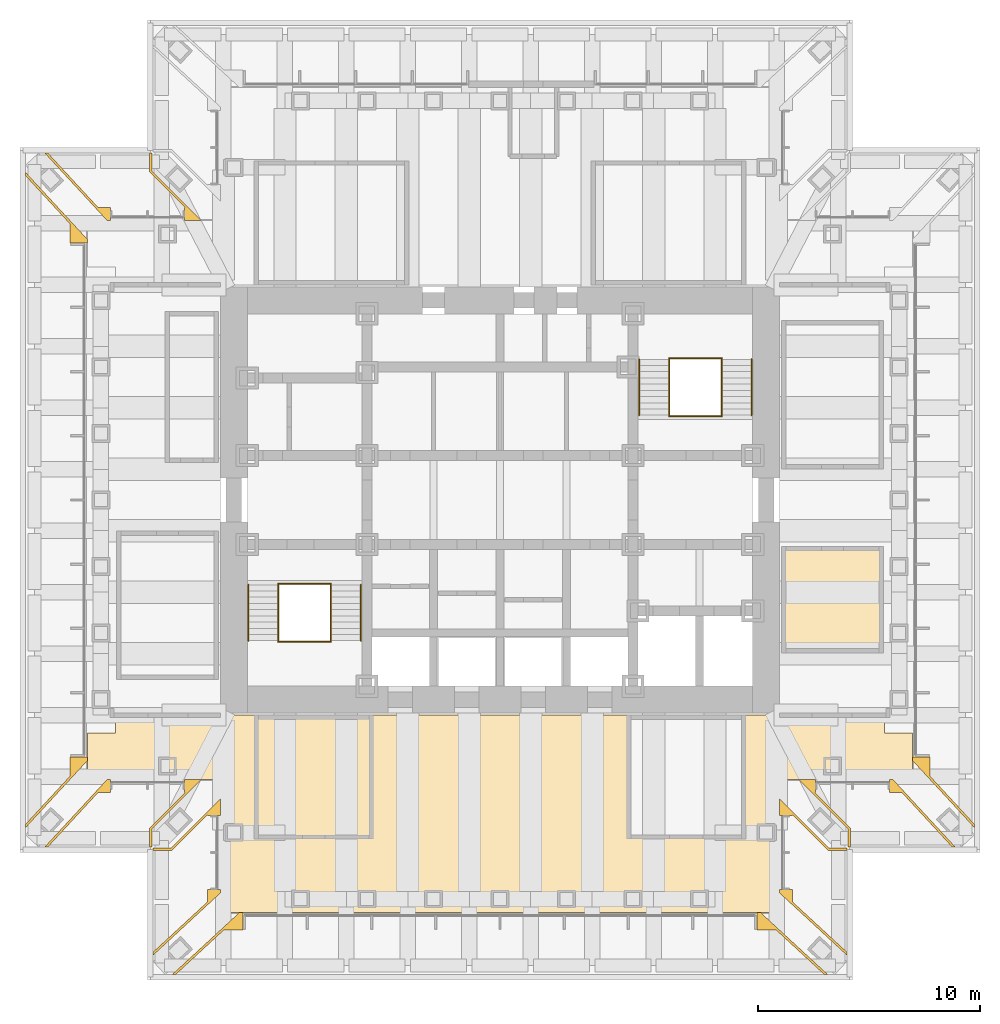
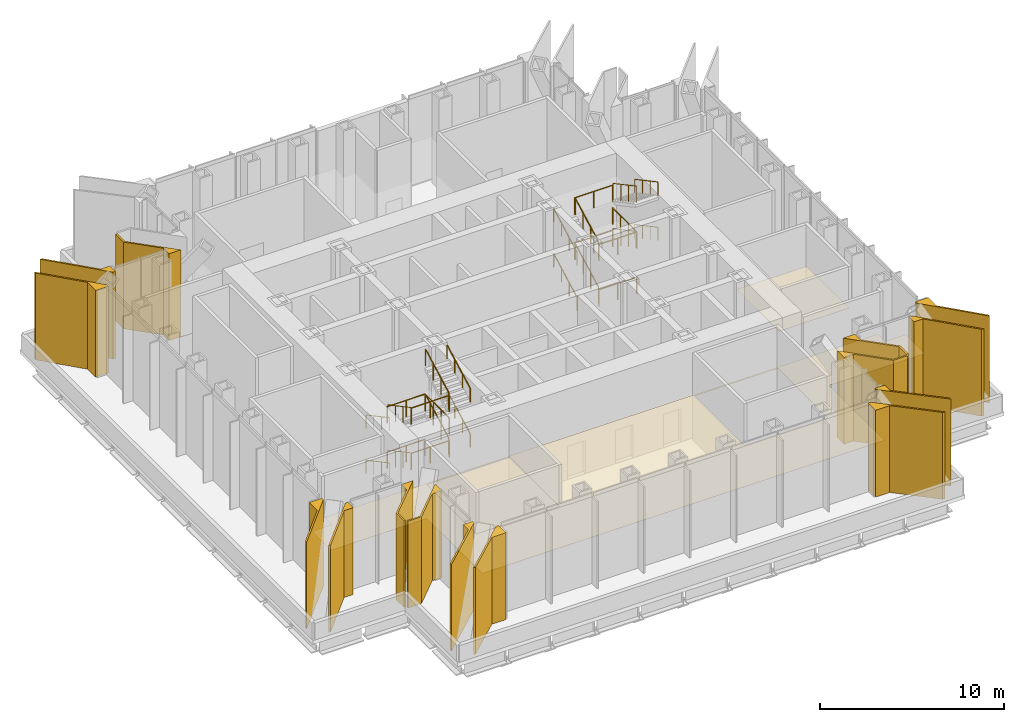
# One storey, part 12 of 13: 26 railings, 18 coverings.
"""IFC4 building model written with IfcOpenShell, lengths in metres."""

from ifc_helpers import new_model, si_unit, direction, frame, origin, origin_2d, place, context, subcontext, project, spatial, polyline, circle, outline, extrude, material, layer, layer_set, type_object, element, save


model = new_model("IFC4")

# Units and contexts
model_context = context("Model", 3, precision=1e-05, world=origin(), true_north=direction((0.0, 1.0)))
body_context = subcontext(model_context, "Body", "Model", "MODEL_VIEW")
ifc_project = project(units=[si_unit("LENGTHUNIT", "METRE"), si_unit("AREAUNIT", "SQUARE_METRE"), si_unit("VOLUMEUNIT", "CUBIC_METRE"), si_unit("PLANEANGLEUNIT", "RADIAN"), si_unit("MASSUNIT", "GRAM", prefix="KILO")], contexts=[model_context])

# Site, building, storey
site_placement = place(None, origin())
site = spatial("IfcSite", under=ifc_project, at=site_placement, CompositionType="ELEMENT")
building_placement = place(site_placement, origin())
building = spatial("IfcBuilding", under=site, at=building_placement, Name="Daluyong Arena Tower", CompositionType="ELEMENT")
storey_placement = place(building_placement, frame((0.0, 0.0, 279.699951171875)))
storey = spatial("IfcBuildingStorey", under=building, at=storey_placement, Name="L63", CompositionType="ELEMENT", Elevation=279.699951171875)

# Coverings
ifc_material_1 = material(Name="Mineral fibre ceiling tile", Category="gypsum board")
ifc_layer_1 = layer(ifc_material_1, 0.02001953125)
ifc_layer_set_1 = layer_set([ifc_layer_1], Name="Mineral fibre ceiling tile")
covering_type_1 = type_object("IfcCoveringType", Name="Office ceiling", PredefinedType="CEILING", material=ifc_layer_set_1)
covering_1_placement = place(storey_placement, frame((0.0, 0.0, 2.900146484375)))
element("IfcCovering", 1, at=covering_1_placement, inside=storey, type_object=covering_type_1, Name="ceiling L63-04", PredefinedType="CEILING", context=body_context, shape_type="SweptSolid", body=[
    extrude(outline(polyline([(73.199951171875, 73.199951171875), (73.199951171875, 77.800048828125), (68.800048828125, 77.800048828125), (68.800048828125, 73.199951171875), (73.199951171875, 73.199951171875)])), origin(), (0.0, 0.0, 1.0), 0.02001953125),
])
covering_2_placement = place(storey_placement, frame((0.0, 0.0, 2.900146484375)))
element("IfcCovering", 2, at=covering_2_placement, inside=storey, type_object=covering_type_1, Name="ceiling L63-08", PredefinedType="CEILING", context=body_context, shape_type="SweptSolid", body=[
    extrude(outline(polyline([(50.199951171875, 64.800048828125), (50.199951171875, 70.199951171875), (45.0, 70.199951171875), (45.0, 64.800048828125), (50.199951171875, 64.800048828125)])), origin(), (0.0, 0.0, 1.0), 0.02001953125),
])
covering_3_placement = place(storey_placement, frame((0.0, 0.0, 2.900146484375)))
element("IfcCovering", 3, at=covering_3_placement, inside=storey, type_object=covering_type_1, Name="ceiling L63-09", PredefinedType="CEILING", context=body_context, shape_type="SweptSolid", body=[
    extrude(outline(polyline([(68.60009765625, 61.39990234375), (68.60009765625, 67.39990234375), (74.60009765625, 67.39990234375), (74.60009765625, 69.5), (73.35009765625, 69.5), (73.35009765625, 70.300048828125), (38.64990234375, 70.300048828125), (38.64990234375, 69.5), (37.39990234375, 69.5), (37.39990234375, 67.39990234375), (43.39990234375, 67.39990234375), (43.39990234375, 61.39990234375), (68.60009765625, 61.39990234375)]), holes=[polyline([(50.199951171875, 70.199951171875), (50.199951171875, 64.800048828125), (45.0, 64.800048828125), (45.0, 70.199951171875), (50.199951171875, 70.199951171875)]), polyline([(67.0, 64.800048828125), (61.800048828125, 64.800048828125), (61.800048828125, 70.199951171875), (67.0, 70.199951171875), (67.0, 64.800048828125)])]), origin(), (0.0, 0.0, 1.0), 0.02001953125),
])

# Railings
ifc_material_2 = material(Name="Stainless steel handrail", Category="steel")
railing_type_1 = type_object("IfcRailingType", Name="Stair handrail", PredefinedType="HANDRAIL", material=ifc_material_2)
railing_1_placement = place(storey_placement, frame((44.64990234375, 76.175048828125, 0.150146484375)))
element("IfcRailing", 4, at=railing_1_placement, inside=storey, type_object=railing_type_1, Name="exit stair A handrail L63", PredefinedType="HANDRAIL", context=body_context, shape_type="SweptSolid", body=[
    extrude(circle(Radius=0.02392578125, at=origin_2d()), frame((0.0, 0.0, 0.8759765625), z_axis=(0.0, -0.88150282143, 0.472178754087), x_axis=(1.0, 0.0, 0.0)), (0.0, 0.0, 1.0), 2.85888671875),
    extrude(circle(Radius=0.02099609375, at=origin_2d()), origin(), (0.0, 0.0, 1.0), 0.851806640625),
    extrude(circle(Radius=0.02099609375, at=origin_2d()), frame((0.0, -0.840087890625, 0.449951171875)), (0.0, 0.0, 1.0), 0.851806640625),
    extrude(circle(Radius=0.02099609375, at=origin_2d()), frame((0.0, -1.679931640625, 0.89990234375)), (0.0, 0.0, 1.0), 0.851806640625),
    extrude(circle(Radius=0.02099609375, at=origin_2d()), frame((0.0, -2.52001953125, 1.349853515625)), (0.0, 0.0, 1.0), 0.851806640625),
])
railing_2_placement = place(storey_placement, frame((49.72509765625, 73.655029296875, 1.650146484375)))
element("IfcRailing", 5, at=railing_2_placement, inside=storey, type_object=railing_type_1, Name="exit stair A handrail L63", PredefinedType="HANDRAIL", context=body_context, shape_type="SweptSolid", body=[
    extrude(circle(Radius=0.02392578125, at=origin_2d()), frame((0.0, 0.0, 0.8759765625), z_axis=(0.0, 0.88150282143, 0.472178754087), x_axis=(-1.0, 0.0, 0.0)), (0.0, 0.0, 1.0), 2.85888671875),
    extrude(circle(Radius=0.02099609375, at=origin_2d()), origin(), (0.0, 0.0, 1.0), 0.851806640625),
    extrude(circle(Radius=0.02099609375, at=origin_2d()), frame((0.0, 0.840087890625, 0.449951171875)), (0.0, 0.0, 1.0), 0.851806640625),
    extrude(circle(Radius=0.02099609375, at=origin_2d()), frame((0.0, 1.679931640625, 0.89990234375)), (0.0, 0.0, 1.0), 0.851806640625),
    extrude(circle(Radius=0.02099609375, at=origin_2d()), frame((0.0, 2.52001953125, 1.349853515625)), (0.0, 0.0, 1.0), 0.851806640625),
])
railing_3_placement = place(storey_placement, frame((44.64990234375, 76.175048828125, 3.150146484375)))
element("IfcRailing", 6, at=railing_3_placement, inside=storey, type_object=railing_type_1, Name="exit stair A handrail L63", PredefinedType="HANDRAIL", context=body_context, shape_type="SweptSolid", body=[
    extrude(circle(Radius=0.02392578125, at=origin_2d()), frame((0.0, 0.0, 0.8759765625), z_axis=(0.0, -0.88150282143, 0.472178754087), x_axis=(1.0, 0.0, 0.0)), (0.0, 0.0, 1.0), 2.85888671875),
    extrude(circle(Radius=0.02099609375, at=origin_2d()), origin(), (0.0, 0.0, 1.0), 0.851806640625),
    extrude(circle(Radius=0.02099609375, at=origin_2d()), frame((0.0, -0.840087890625, 0.449951171875)), (0.0, 0.0, 1.0), 0.851806640625),
    extrude(circle(Radius=0.02099609375, at=origin_2d()), frame((0.0, -1.679931640625, 0.89990234375)), (0.0, 0.0, 1.0), 0.851806640625),
    extrude(circle(Radius=0.02099609375, at=origin_2d()), frame((0.0, -2.52001953125, 1.349853515625)), (0.0, 0.0, 1.0), 0.851806640625),
])
for number, where, name in (
    (7, (49.72509765625, 73.655029296875, 4.650146484375), "exit stair A handrail L63"),
    (8, (62.27490234375, 83.824951171875, 0.150146484375), "exit stair B handrail L63"),
):
    element("IfcRailing", number, at=place(storey_placement, frame(where)), inside=storey, type_object=railing_type_1, Name=name, PredefinedType="HANDRAIL", context=body_context, shape_type="SweptSolid", body=[
        extrude(circle(Radius=0.02392578125, at=origin_2d()), frame((0.0, 0.0, 0.8759765625), z_axis=(0.0, 0.88150282143, 0.472178754087), x_axis=(-1.0, 0.0, 0.0)), (0.0, 0.0, 1.0), 2.85888671875),
        extrude(circle(Radius=0.02099609375, at=origin_2d()), origin(), (0.0, 0.0, 1.0), 0.851806640625),
        extrude(circle(Radius=0.02099609375, at=origin_2d()), frame((0.0, 0.840087890625, 0.449951171875)), (0.0, 0.0, 1.0), 0.851806640625),
        extrude(circle(Radius=0.02099609375, at=origin_2d()), frame((0.0, 1.679931640625, 0.89990234375)), (0.0, 0.0, 1.0), 0.851806640625),
        extrude(circle(Radius=0.02099609375, at=origin_2d()), frame((0.0, 2.52001953125, 1.349853515625)), (0.0, 0.0, 1.0), 0.851806640625),
    ])
railing_4_placement = place(storey_placement, frame((67.35009765625, 86.344970703125, 1.650146484375)))
element("IfcRailing", 9, at=railing_4_placement, inside=storey, type_object=railing_type_1, Name="exit stair B handrail L63", PredefinedType="HANDRAIL", context=body_context, shape_type="SweptSolid", body=[
    extrude(circle(Radius=0.02392578125, at=origin_2d()), frame((0.0, 0.0, 0.8759765625), z_axis=(0.0, -0.88150282143, 0.472178754087), x_axis=(1.0, 0.0, 0.0)), (0.0, 0.0, 1.0), 2.85888671875),
    extrude(circle(Radius=0.02099609375, at=origin_2d()), origin(), (0.0, 0.0, 1.0), 0.851806640625),
    extrude(circle(Radius=0.02099609375, at=origin_2d()), frame((0.0, -0.840087890625, 0.449951171875)), (0.0, 0.0, 1.0), 0.851806640625),
    extrude(circle(Radius=0.02099609375, at=origin_2d()), frame((0.0, -1.679931640625, 0.89990234375)), (0.0, 0.0, 1.0), 0.851806640625),
    extrude(circle(Radius=0.02099609375, at=origin_2d()), frame((0.0, -2.52001953125, 1.349853515625)), (0.0, 0.0, 1.0), 0.851806640625),
])
railing_5_placement = place(storey_placement, frame((62.27490234375, 83.824951171875, 3.150146484375)))
element("IfcRailing", 10, at=railing_5_placement, inside=storey, type_object=railing_type_1, Name="exit stair B handrail L63", PredefinedType="HANDRAIL", context=body_context, shape_type="SweptSolid", body=[
    extrude(circle(Radius=0.02392578125, at=origin_2d()), frame((0.0, 0.0, 0.8759765625), z_axis=(0.0, 0.88150282143, 0.472178754087), x_axis=(-1.0, 0.0, 0.0)), (0.0, 0.0, 1.0), 2.85888671875),
    extrude(circle(Radius=0.02099609375, at=origin_2d()), origin(), (0.0, 0.0, 1.0), 0.851806640625),
    extrude(circle(Radius=0.02099609375, at=origin_2d()), frame((0.0, 0.840087890625, 0.449951171875)), (0.0, 0.0, 1.0), 0.851806640625),
    extrude(circle(Radius=0.02099609375, at=origin_2d()), frame((0.0, 1.679931640625, 0.89990234375)), (0.0, 0.0, 1.0), 0.851806640625),
    extrude(circle(Radius=0.02099609375, at=origin_2d()), frame((0.0, 2.52001953125, 1.349853515625)), (0.0, 0.0, 1.0), 0.851806640625),
])
railing_6_placement = place(storey_placement, frame((67.35009765625, 86.344970703125, 4.650146484375)))
element("IfcRailing", 11, at=railing_6_placement, inside=storey, type_object=railing_type_1, Name="exit stair B handrail L63", PredefinedType="HANDRAIL", context=body_context, shape_type="SweptSolid", body=[
    extrude(circle(Radius=0.02392578125, at=origin_2d()), frame((0.0, 0.0, 0.8759765625), z_axis=(0.0, -0.88150282143, 0.472178754087), x_axis=(1.0, 0.0, 0.0)), (0.0, 0.0, 1.0), 2.85888671875),
    extrude(circle(Radius=0.02099609375, at=origin_2d()), origin(), (0.0, 0.0, 1.0), 0.851806640625),
    extrude(circle(Radius=0.02099609375, at=origin_2d()), frame((0.0, -0.840087890625, 0.449951171875)), (0.0, 0.0, 1.0), 0.851806640625),
    extrude(circle(Radius=0.02099609375, at=origin_2d()), frame((0.0, -1.679931640625, 0.89990234375)), (0.0, 0.0, 1.0), 0.851806640625),
    extrude(circle(Radius=0.02099609375, at=origin_2d()), frame((0.0, -2.52001953125, 1.349853515625)), (0.0, 0.0, 1.0), 0.851806640625),
])
ifc_material_3 = material(Name="Steel balustrade", Category="steel")
railing_type_2 = type_object("IfcRailingType", Name="Stair well guard 1100", PredefinedType="GUARDRAIL", material=ifc_material_3)
railing_7_placement = place(storey_placement, frame((46.0, 76.175048828125, 0.150146484375)))
element("IfcRailing", 12, at=railing_7_placement, inside=storey, type_object=railing_type_2, Name="exit stair A well guard L63", PredefinedType="GUARDRAIL", context=body_context, shape_type="SweptSolid", body=[
    extrude(circle(Radius=0.02392578125, at=origin_2d()), frame((0.0, 0.0, 1.076171875), z_axis=(0.0, -0.88150282143, 0.472178754087), x_axis=(1.0, 0.0, 0.0)), (0.0, 0.0, 1.0), 2.85888671875),
    extrude(circle(Radius=0.02099609375, at=origin_2d()), origin(), (0.0, 0.0, 1.0), 1.052001953125),
    extrude(circle(Radius=0.02099609375, at=origin_2d()), frame((0.0, -0.840087890625, 0.449951171875)), (0.0, 0.0, 1.0), 1.052001953125),
    extrude(circle(Radius=0.02099609375, at=origin_2d()), frame((0.0, -1.679931640625, 0.89990234375)), (0.0, 0.0, 1.0), 1.052001953125),
    extrude(circle(Radius=0.02099609375, at=origin_2d()), frame((0.0, -2.52001953125, 1.349853515625)), (0.0, 0.0, 1.0), 1.052001953125),
])
railing_8_placement = place(storey_placement, frame((48.375, 73.655029296875, 1.650146484375)))
element("IfcRailing", 13, at=railing_8_placement, inside=storey, type_object=railing_type_2, Name="exit stair A well guard L63", PredefinedType="GUARDRAIL", context=body_context, shape_type="SweptSolid", body=[
    extrude(circle(Radius=0.02392578125, at=origin_2d()), frame((0.0, 0.0, 1.076171875), z_axis=(0.0, 0.88150282143, 0.472178754087), x_axis=(-1.0, 0.0, 0.0)), (0.0, 0.0, 1.0), 2.85888671875),
    extrude(circle(Radius=0.02099609375, at=origin_2d()), origin(), (0.0, 0.0, 1.0), 1.052001953125),
    extrude(circle(Radius=0.02099609375, at=origin_2d()), frame((0.0, 0.840087890625, 0.449951171875)), (0.0, 0.0, 1.0), 1.052001953125),
    extrude(circle(Radius=0.02099609375, at=origin_2d()), frame((0.0, 1.679931640625, 0.89990234375)), (0.0, 0.0, 1.0), 1.052001953125),
    extrude(circle(Radius=0.02099609375, at=origin_2d()), frame((0.0, 2.52001953125, 1.349853515625)), (0.0, 0.0, 1.0), 1.052001953125),
])
railing_9_placement = place(storey_placement, frame((46.0, 76.175048828125, 3.150146484375)))
element("IfcRailing", 14, at=railing_9_placement, inside=storey, type_object=railing_type_2, Name="exit stair A well guard L63", PredefinedType="GUARDRAIL", context=body_context, shape_type="SweptSolid", body=[
    extrude(circle(Radius=0.02392578125, at=origin_2d()), frame((0.0, 0.0, 1.076171875), z_axis=(0.0, -0.88150282143, 0.472178754087), x_axis=(1.0, 0.0, 0.0)), (0.0, 0.0, 1.0), 2.85888671875),
    extrude(circle(Radius=0.02099609375, at=origin_2d()), origin(), (0.0, 0.0, 1.0), 1.052001953125),
    extrude(circle(Radius=0.02099609375, at=origin_2d()), frame((0.0, -0.840087890625, 0.449951171875)), (0.0, 0.0, 1.0), 1.052001953125),
    extrude(circle(Radius=0.02099609375, at=origin_2d()), frame((0.0, -1.679931640625, 0.89990234375)), (0.0, 0.0, 1.0), 1.052001953125),
    extrude(circle(Radius=0.02099609375, at=origin_2d()), frame((0.0, -2.52001953125, 1.349853515625)), (0.0, 0.0, 1.0), 1.052001953125),
])
railing_10_placement = place(storey_placement, frame((48.375, 73.655029296875, 4.650146484375)))
element("IfcRailing", 15, at=railing_10_placement, inside=storey, type_object=railing_type_2, Name="exit stair A well guard L63", PredefinedType="GUARDRAIL", context=body_context, shape_type="SweptSolid", body=[
    extrude(circle(Radius=0.02392578125, at=origin_2d()), frame((0.0, 0.0, 1.076171875), z_axis=(0.0, 0.88150282143, 0.472178754087), x_axis=(-1.0, 0.0, 0.0)), (0.0, 0.0, 1.0), 2.85888671875),
    extrude(circle(Radius=0.02099609375, at=origin_2d()), origin(), (0.0, 0.0, 1.0), 1.052001953125),
    extrude(circle(Radius=0.02099609375, at=origin_2d()), frame((0.0, 0.840087890625, 0.449951171875)), (0.0, 0.0, 1.0), 1.052001953125),
    extrude(circle(Radius=0.02099609375, at=origin_2d()), frame((0.0, 1.679931640625, 0.89990234375)), (0.0, 0.0, 1.0), 1.052001953125),
    extrude(circle(Radius=0.02099609375, at=origin_2d()), frame((0.0, 2.52001953125, 1.349853515625)), (0.0, 0.0, 1.0), 1.052001953125),
])
for number, where, name in (
    (16, (46.0, 73.60498046875, 1.5), "exit stair A landing guard L63"),
    (17, (46.0, 76.22509765625, 3.0), "exit stair A landing guard L63"),
    (18, (46.0, 73.60498046875, 4.5), "exit stair A landing guard L63"),
):
    element("IfcRailing", number, at=place(storey_placement, frame(where)), inside=storey, type_object=railing_type_2, Name=name, PredefinedType="GUARDRAIL", context=body_context, shape_type="SweptSolid", body=[
        extrude(circle(Radius=0.02392578125, at=origin_2d()), frame((0.0, 0.0, 1.076171875), z_axis=(1.0, 0.0, 0.0), x_axis=(0.0, 1.0, 0.0)), (0.0, 0.0, 1.0), 2.375),
        extrude(circle(Radius=0.02099609375, at=origin_2d()), origin(), (0.0, 0.0, 1.0), 1.052001953125),
        extrude(circle(Radius=0.02099609375, at=origin_2d()), frame((1.1875, 0.0, 0.0)), (0.0, 0.0, 1.0), 1.052001953125),
        extrude(circle(Radius=0.02099609375, at=origin_2d()), frame((2.375, 0.0, 0.0)), (0.0, 0.0, 1.0), 1.052001953125),
    ])
railing_11_placement = place(storey_placement, frame((48.375, 73.60498046875, 3.0)))
element("IfcRailing", 19, at=railing_11_placement, inside=storey, type_object=railing_type_2, Name="exit stair A landing guard L63", PredefinedType="GUARDRAIL", context=body_context, shape_type="SweptSolid", body=[
    extrude(circle(Radius=0.02392578125, at=origin_2d()), frame((0.0, 0.0, 1.076171875), z_axis=(0.0, 1.0, 0.0), x_axis=(-1.0, 0.0, 0.0)), (0.0, 0.0, 1.0), 2.570068359375),
    extrude(circle(Radius=0.02099609375, at=origin_2d()), origin(), (0.0, 0.0, 1.0), 1.052001953125),
    extrude(circle(Radius=0.02099609375, at=origin_2d()), frame((0.0, 0.856689453125, 0.0)), (0.0, 0.0, 1.0), 1.052001953125),
    extrude(circle(Radius=0.02099609375, at=origin_2d()), frame((0.0, 1.71337890625, 0.0)), (0.0, 0.0, 1.0), 1.052001953125),
    extrude(circle(Radius=0.02099609375, at=origin_2d()), frame((0.0, 2.570068359375, 0.0)), (0.0, 0.0, 1.0), 1.052001953125),
])
railing_12_placement = place(storey_placement, frame((46.0, 76.22509765625, 0.0)))
element("IfcRailing", 20, at=railing_12_placement, inside=storey, type_object=railing_type_2, Name="exit stair A floor landing guard L63", PredefinedType="GUARDRAIL", context=body_context, shape_type="SweptSolid", body=[
    extrude(circle(Radius=0.02392578125, at=origin_2d()), frame((0.0, 0.0, 1.076171875), z_axis=(1.0, 0.0, 0.0), x_axis=(0.0, 1.0, 0.0)), (0.0, 0.0, 1.0), 2.375),
    extrude(circle(Radius=0.02099609375, at=origin_2d()), origin(), (0.0, 0.0, 1.0), 1.052001953125),
    extrude(circle(Radius=0.02099609375, at=origin_2d()), frame((1.1875, 0.0, 0.0)), (0.0, 0.0, 1.0), 1.052001953125),
    extrude(circle(Radius=0.02099609375, at=origin_2d()), frame((2.375, 0.0, 0.0)), (0.0, 0.0, 1.0), 1.052001953125),
])
railing_13_placement = place(storey_placement, frame((63.625, 83.824951171875, 0.150146484375)))
element("IfcRailing", 21, at=railing_13_placement, inside=storey, type_object=railing_type_2, Name="exit stair B well guard L63", PredefinedType="GUARDRAIL", context=body_context, shape_type="SweptSolid", body=[
    extrude(circle(Radius=0.02392578125, at=origin_2d()), frame((0.0, 0.0, 1.076171875), z_axis=(0.0, 0.88150282143, 0.472178754087), x_axis=(-1.0, 0.0, 0.0)), (0.0, 0.0, 1.0), 2.85888671875),
    extrude(circle(Radius=0.02099609375, at=origin_2d()), origin(), (0.0, 0.0, 1.0), 1.052001953125),
    extrude(circle(Radius=0.02099609375, at=origin_2d()), frame((0.0, 0.840087890625, 0.449951171875)), (0.0, 0.0, 1.0), 1.052001953125),
    extrude(circle(Radius=0.02099609375, at=origin_2d()), frame((0.0, 1.679931640625, 0.89990234375)), (0.0, 0.0, 1.0), 1.052001953125),
    extrude(circle(Radius=0.02099609375, at=origin_2d()), frame((0.0, 2.52001953125, 1.349853515625)), (0.0, 0.0, 1.0), 1.052001953125),
])
railing_14_placement = place(storey_placement, frame((66.0, 86.344970703125, 1.650146484375)))
element("IfcRailing", 22, at=railing_14_placement, inside=storey, type_object=railing_type_2, Name="exit stair B well guard L63", PredefinedType="GUARDRAIL", context=body_context, shape_type="SweptSolid", body=[
    extrude(circle(Radius=0.02392578125, at=origin_2d()), frame((0.0, 0.0, 1.076171875), z_axis=(0.0, -0.88150282143, 0.472178754087), x_axis=(1.0, 0.0, 0.0)), (0.0, 0.0, 1.0), 2.85888671875),
    extrude(circle(Radius=0.02099609375, at=origin_2d()), origin(), (0.0, 0.0, 1.0), 1.052001953125),
    extrude(circle(Radius=0.02099609375, at=origin_2d()), frame((0.0, -0.840087890625, 0.449951171875)), (0.0, 0.0, 1.0), 1.052001953125),
    extrude(circle(Radius=0.02099609375, at=origin_2d()), frame((0.0, -1.679931640625, 0.89990234375)), (0.0, 0.0, 1.0), 1.052001953125),
    extrude(circle(Radius=0.02099609375, at=origin_2d()), frame((0.0, -2.52001953125, 1.349853515625)), (0.0, 0.0, 1.0), 1.052001953125),
])
railing_15_placement = place(storey_placement, frame((63.625, 83.824951171875, 3.150146484375)))
element("IfcRailing", 23, at=railing_15_placement, inside=storey, type_object=railing_type_2, Name="exit stair B well guard L63", PredefinedType="GUARDRAIL", context=body_context, shape_type="SweptSolid", body=[
    extrude(circle(Radius=0.02392578125, at=origin_2d()), frame((0.0, 0.0, 1.076171875), z_axis=(0.0, 0.88150282143, 0.472178754087), x_axis=(-1.0, 0.0, 0.0)), (0.0, 0.0, 1.0), 2.85888671875),
    extrude(circle(Radius=0.02099609375, at=origin_2d()), origin(), (0.0, 0.0, 1.0), 1.052001953125),
    extrude(circle(Radius=0.02099609375, at=origin_2d()), frame((0.0, 0.840087890625, 0.449951171875)), (0.0, 0.0, 1.0), 1.052001953125),
    extrude(circle(Radius=0.02099609375, at=origin_2d()), frame((0.0, 1.679931640625, 0.89990234375)), (0.0, 0.0, 1.0), 1.052001953125),
    extrude(circle(Radius=0.02099609375, at=origin_2d()), frame((0.0, 2.52001953125, 1.349853515625)), (0.0, 0.0, 1.0), 1.052001953125),
])
railing_16_placement = place(storey_placement, frame((66.0, 86.344970703125, 4.650146484375)))
element("IfcRailing", 24, at=railing_16_placement, inside=storey, type_object=railing_type_2, Name="exit stair B well guard L63", PredefinedType="GUARDRAIL", context=body_context, shape_type="SweptSolid", body=[
    extrude(circle(Radius=0.02392578125, at=origin_2d()), frame((0.0, 0.0, 1.076171875), z_axis=(0.0, -0.88150282143, 0.472178754087), x_axis=(1.0, 0.0, 0.0)), (0.0, 0.0, 1.0), 2.85888671875),
    extrude(circle(Radius=0.02099609375, at=origin_2d()), origin(), (0.0, 0.0, 1.0), 1.052001953125),
    extrude(circle(Radius=0.02099609375, at=origin_2d()), frame((0.0, -0.840087890625, 0.449951171875)), (0.0, 0.0, 1.0), 1.052001953125),
    extrude(circle(Radius=0.02099609375, at=origin_2d()), frame((0.0, -1.679931640625, 0.89990234375)), (0.0, 0.0, 1.0), 1.052001953125),
    extrude(circle(Radius=0.02099609375, at=origin_2d()), frame((0.0, -2.52001953125, 1.349853515625)), (0.0, 0.0, 1.0), 1.052001953125),
])
for number, where, name in (
    (25, (63.625, 86.39501953125, 1.5), "exit stair B landing guard L63"),
    (26, (63.625, 83.77490234375, 3.0), "exit stair B landing guard L63"),
    (27, (63.625, 86.39501953125, 4.5), "exit stair B landing guard L63"),
):
    element("IfcRailing", number, at=place(storey_placement, frame(where)), inside=storey, type_object=railing_type_2, Name=name, PredefinedType="GUARDRAIL", context=body_context, shape_type="SweptSolid", body=[
        extrude(circle(Radius=0.02392578125, at=origin_2d()), frame((0.0, 0.0, 1.076171875), z_axis=(1.0, 0.0, 0.0), x_axis=(0.0, 1.0, 0.0)), (0.0, 0.0, 1.0), 2.375),
        extrude(circle(Radius=0.02099609375, at=origin_2d()), origin(), (0.0, 0.0, 1.0), 1.052001953125),
        extrude(circle(Radius=0.02099609375, at=origin_2d()), frame((1.1875, 0.0, 0.0)), (0.0, 0.0, 1.0), 1.052001953125),
        extrude(circle(Radius=0.02099609375, at=origin_2d()), frame((2.375, 0.0, 0.0)), (0.0, 0.0, 1.0), 1.052001953125),
    ])
railing_17_placement = place(storey_placement, frame((66.0, 86.39501953125, 3.0)))
element("IfcRailing", 28, at=railing_17_placement, inside=storey, type_object=railing_type_2, Name="exit stair B landing guard L63", PredefinedType="GUARDRAIL", context=body_context, shape_type="SweptSolid", body=[
    extrude(circle(Radius=0.02392578125, at=origin_2d()), frame((0.0, 0.0, 1.076171875), z_axis=(0.0, -1.0, 0.0), x_axis=(1.0, 0.0, 0.0)), (0.0, 0.0, 1.0), 2.570068359375),
    extrude(circle(Radius=0.02099609375, at=origin_2d()), origin(), (0.0, 0.0, 1.0), 1.052001953125),
    extrude(circle(Radius=0.02099609375, at=origin_2d()), frame((0.0, -0.856689453125, 0.0)), (0.0, 0.0, 1.0), 1.052001953125),
    extrude(circle(Radius=0.02099609375, at=origin_2d()), frame((0.0, -1.71337890625, 0.0)), (0.0, 0.0, 1.0), 1.052001953125),
    extrude(circle(Radius=0.02099609375, at=origin_2d()), frame((0.0, -2.570068359375, 0.0)), (0.0, 0.0, 1.0), 1.052001953125),
])
railing_18_placement = place(storey_placement, frame((63.625, 83.77490234375, 0.0)))
element("IfcRailing", 29, at=railing_18_placement, inside=storey, type_object=railing_type_2, Name="exit stair B floor landing guard L63", PredefinedType="GUARDRAIL", context=body_context, shape_type="SweptSolid", body=[
    extrude(circle(Radius=0.02392578125, at=origin_2d()), frame((0.0, 0.0, 1.076171875), z_axis=(1.0, 0.0, 0.0), x_axis=(0.0, 1.0, 0.0)), (0.0, 0.0, 1.0), 2.375),
    extrude(circle(Radius=0.02099609375, at=origin_2d()), origin(), (0.0, 0.0, 1.0), 1.052001953125),
    extrude(circle(Radius=0.02099609375, at=origin_2d()), frame((1.1875, 0.0, 0.0)), (0.0, 0.0, 1.0), 1.052001953125),
    extrude(circle(Radius=0.02099609375, at=origin_2d()), frame((2.375, 0.0, 0.0)), (0.0, 0.0, 1.0), 1.052001953125),
])

# Coverings
ifc_material_4 = material(Name="Bronze anodised aluminium cladding", Category="aluminium")
ifc_layer_2 = layer(ifc_material_4, 0.10009765625)
ifc_layer_set_2 = layer_set([ifc_layer_2], Name="Bronze anodised aluminium cladding")
covering_type_2 = type_object("IfcCoveringType", Name="Transition column casing 100", PredefinedType="CLADDING", material=ifc_layer_set_2)
covering_4_placement = place(storey_placement, origin())
element("IfcCovering", 30, at=covering_4_placement, inside=storey, type_object=covering_type_2, Name="transition column casing L63 1", PredefinedType="CLADDING", context=body_context, shape_type="SweptSolid", body=[
    extrude(outline(polyline([(42.800048828125, 62.429443359375), (43.39990234375, 62.429443359375), (43.39990234375, 62.283447265625), (40.35009765625, 59.468017578125), (40.35009765625, 59.60400390625), (42.800048828125, 61.86572265625), (42.800048828125, 62.429443359375)])), origin(), (0.0, 0.0, 1.0), 5.75),
])
covering_5_placement = place(storey_placement, origin())
element("IfcCovering", 31, at=covering_5_placement, inside=storey, type_object=covering_type_2, Name="transition column casing L63 2", PredefinedType="CLADDING", context=body_context, shape_type="SweptSolid", body=[
    extrude(outline(polyline([(44.257080078125, 61.39990234375), (44.41455078125, 61.39990234375), (44.41455078125, 60.60009765625), (43.537841796875, 60.60009765625), (41.37109375, 58.60009765625), (41.2236328125, 58.60009765625), (44.257080078125, 61.39990234375)])), origin(), (0.0, 0.0, 1.0), 5.75),
])
covering_6_placement = place(storey_placement, origin())
element("IfcCovering", 32, at=covering_6_placement, inside=storey, type_object=covering_type_2, Name="transition column casing L63 1", PredefinedType="CLADDING", context=body_context, shape_type="SweptSolid", body=[
    extrude(outline(polyline([(67.58544921875, 61.39990234375), (67.742919921875, 61.39990234375), (70.7763671875, 58.60009765625), (70.62890625, 58.60009765625), (68.462158203125, 60.60009765625), (67.58544921875, 60.60009765625), (67.58544921875, 61.39990234375)])), origin(), (0.0, 0.0, 1.0), 5.75),
])
covering_7_placement = place(storey_placement, origin())
element("IfcCovering", 33, at=covering_7_placement, inside=storey, type_object=covering_type_2, Name="transition column casing L63 2", PredefinedType="CLADDING", context=body_context, shape_type="SweptSolid", body=[
    extrude(outline(polyline([(68.60009765625, 62.283447265625), (68.60009765625, 62.429443359375), (69.199951171875, 62.429443359375), (69.199951171875, 61.86572265625), (71.64990234375, 59.60400390625), (71.64990234375, 59.468017578125), (68.60009765625, 62.283447265625)])), origin(), (0.0, 0.0, 1.0), 5.75),
])
covering_8_placement = place(storey_placement, origin())
element("IfcCovering", 34, at=covering_8_placement, inside=storey, type_object=covering_type_2, Name="transition column casing L63 1", PredefinedType="CLADDING", context=body_context, shape_type="SweptSolid", body=[
    extrude(outline(polyline([(68.60009765625, 65.77783203125), (68.60009765625, 66.529296875), (70.829345703125, 64.300048828125), (71.64990234375, 64.300048828125), (71.64990234375, 64.199951171875), (70.787841796875, 64.199951171875), (69.199951171875, 65.787841796875), (69.199951171875, 65.77783203125), (68.60009765625, 65.77783203125)])), origin(), (0.0, 0.0, 1.0), 5.75),
])
covering_9_placement = place(storey_placement, origin())
element("IfcCovering", 35, at=covering_9_placement, inside=storey, type_object=covering_type_2, Name="transition column casing L63 2", PredefinedType="CLADDING", context=body_context, shape_type="SweptSolid", body=[
    extrude(outline(polyline([(71.699951171875, 65.170654296875), (69.470703125, 67.39990234375), (70.22216796875, 67.39990234375), (70.22216796875, 66.800048828125), (70.212158203125, 66.800048828125), (71.800048828125, 65.212158203125), (71.800048828125, 64.35009765625), (71.699951171875, 64.35009765625), (71.699951171875, 65.170654296875)])), origin(), (0.0, 0.0, 1.0), 5.75),
])
covering_10_placement = place(storey_placement, origin())
element("IfcCovering", 36, at=covering_10_placement, inside=storey, type_object=covering_type_2, Name="transition column casing L63 1", PredefinedType="CLADDING", context=body_context, shape_type="SweptSolid", body=[
    extrude(outline(polyline([(73.570556640625, 67.39990234375), (73.716552734375, 67.39990234375), (76.531982421875, 64.35009765625), (76.39599609375, 64.35009765625), (74.13427734375, 66.800048828125), (73.570556640625, 66.800048828125), (73.570556640625, 67.39990234375)])), origin(), (0.0, 0.0, 1.0), 5.75),
])
covering_11_placement = place(storey_placement, origin())
element("IfcCovering", 37, at=covering_11_placement, inside=storey, type_object=covering_type_2, Name="transition column casing L63 2", PredefinedType="CLADDING", context=body_context, shape_type="SweptSolid", body=[
    extrude(outline(polyline([(74.60009765625, 68.257080078125), (74.60009765625, 68.41455078125), (75.39990234375, 68.41455078125), (75.39990234375, 67.537841796875), (77.39990234375, 65.37109375), (77.39990234375, 65.2236328125), (74.60009765625, 68.257080078125)])), origin(), (0.0, 0.0, 1.0), 5.75),
])
covering_12_placement = place(storey_placement, origin())
element("IfcCovering", 38, at=covering_12_placement, inside=storey, type_object=covering_type_2, Name="transition column casing L63 1", PredefinedType="CLADDING", context=body_context, shape_type="SweptSolid", body=[
    extrude(outline(polyline([(41.787841796875, 93.199951171875), (40.199951171875, 94.787841796875), (40.199951171875, 95.64990234375), (40.300048828125, 95.64990234375), (40.300048828125, 94.829345703125), (42.529296875, 92.60009765625), (41.77783203125, 92.60009765625), (41.77783203125, 93.199951171875), (41.787841796875, 93.199951171875)])), origin(), (0.0, 0.0, 1.0), 5.75),
])
covering_13_placement = place(storey_placement, origin())
element("IfcCovering", 39, at=covering_13_placement, inside=storey, type_object=covering_type_2, Name="transition column casing L63 1", PredefinedType="CLADDING", context=body_context, shape_type="SweptSolid", body=[
    extrude(outline(polyline([(37.39990234375, 91.742919921875), (37.39990234375, 91.58544921875), (36.60009765625, 91.58544921875), (36.60009765625, 92.462158203125), (34.60009765625, 94.62890625), (34.60009765625, 94.7763671875), (37.39990234375, 91.742919921875)])), origin(), (0.0, 0.0, 1.0), 5.75),
])
covering_14_placement = place(storey_placement, origin())
element("IfcCovering", 40, at=covering_14_placement, inside=storey, type_object=covering_type_2, Name="transition column casing L63 2", PredefinedType="CLADDING", context=body_context, shape_type="SweptSolid", body=[
    extrude(outline(polyline([(37.86572265625, 93.199951171875), (38.429443359375, 93.199951171875), (38.429443359375, 92.60009765625), (38.283447265625, 92.60009765625), (35.468017578125, 95.64990234375), (35.60400390625, 95.64990234375), (37.86572265625, 93.199951171875)])), origin(), (0.0, 0.0, 1.0), 5.75),
])
covering_15_placement = place(storey_placement, origin())
element("IfcCovering", 41, at=covering_15_placement, inside=storey, type_object=covering_type_2, Name="transition column casing L63 1", PredefinedType="CLADDING", context=body_context, shape_type="SweptSolid", body=[
    extrude(outline(polyline([(36.60009765625, 68.41455078125), (37.39990234375, 68.41455078125), (37.39990234375, 68.257080078125), (34.60009765625, 65.2236328125), (34.60009765625, 65.37109375), (36.60009765625, 67.537841796875), (36.60009765625, 68.41455078125)])), origin(), (0.0, 0.0, 1.0), 5.75),
])
covering_16_placement = place(storey_placement, origin())
element("IfcCovering", 42, at=covering_16_placement, inside=storey, type_object=covering_type_2, Name="transition column casing L63 2", PredefinedType="CLADDING", context=body_context, shape_type="SweptSolid", body=[
    extrude(outline(polyline([(38.283447265625, 67.39990234375), (38.429443359375, 67.39990234375), (38.429443359375, 66.800048828125), (37.86572265625, 66.800048828125), (35.60400390625, 64.35009765625), (35.468017578125, 64.35009765625), (38.283447265625, 67.39990234375)])), origin(), (0.0, 0.0, 1.0), 5.75),
])
covering_17_placement = place(storey_placement, origin())
element("IfcCovering", 43, at=covering_17_placement, inside=storey, type_object=covering_type_2, Name="transition column casing L63 1", PredefinedType="CLADDING", context=body_context, shape_type="SweptSolid", body=[
    extrude(outline(polyline([(41.77783203125, 66.800048828125), (41.77783203125, 67.39990234375), (42.529296875, 67.39990234375), (40.300048828125, 65.170654296875), (40.300048828125, 64.35009765625), (40.199951171875, 64.35009765625), (40.199951171875, 65.212158203125), (41.787841796875, 66.800048828125), (41.77783203125, 66.800048828125)])), origin(), (0.0, 0.0, 1.0), 5.75),
])
covering_18_placement = place(storey_placement, origin())
element("IfcCovering", 44, at=covering_18_placement, inside=storey, type_object=covering_type_2, Name="transition column casing L63 2", PredefinedType="CLADDING", context=body_context, shape_type="SweptSolid", body=[
    extrude(outline(polyline([(41.170654296875, 64.300048828125), (43.39990234375, 66.529296875), (43.39990234375, 65.77783203125), (42.800048828125, 65.77783203125), (42.800048828125, 65.787841796875), (41.212158203125, 64.199951171875), (40.35009765625, 64.199951171875), (40.35009765625, 64.300048828125), (41.170654296875, 64.300048828125)])), origin(), (0.0, 0.0, 1.0), 5.75),
])

save(model, "model.ifc")
